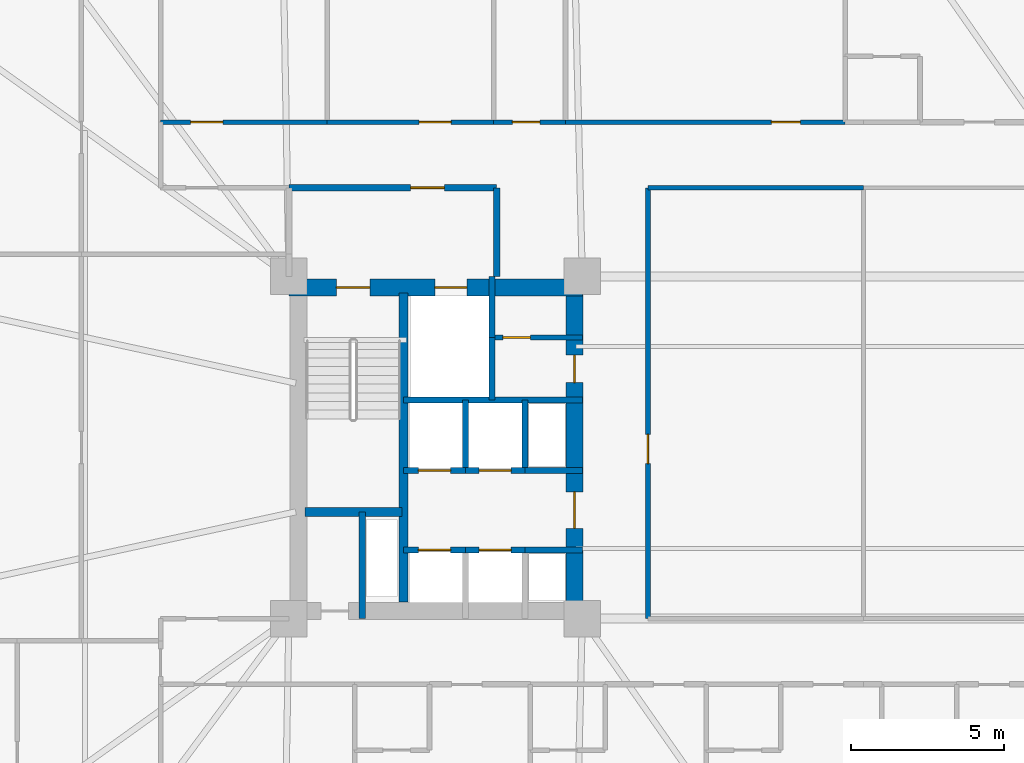
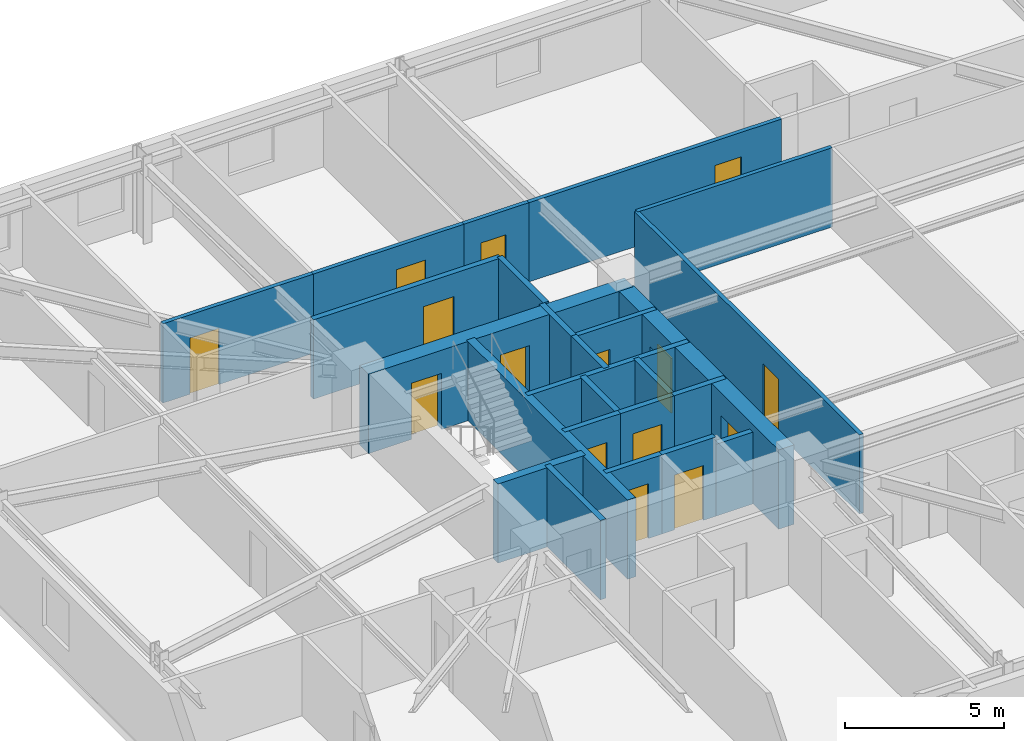
# One storey, part 15 of 20: 25 walls, 15 doors, 15 openings.
"""IFC4 building model written with IfcOpenShell, lengths in metres."""

from ifc_helpers import new_model, si_unit, direction, frame, frame_2d, origin, place, context, subcontext, project, spatial, rectangle, extrude, material, layer, layer_set, type_object, element, fill, save


model = new_model("IFC4")

# Units and contexts
model_context = context("Model", 3, precision=1e-05, world=origin(), true_north=direction((0.0, 1.0)))
body_context = subcontext(model_context, "Body", "Model", "MODEL_VIEW")
ifc_project = project(units=[si_unit("LENGTHUNIT", "METRE"), si_unit("AREAUNIT", "SQUARE_METRE"), si_unit("VOLUMEUNIT", "CUBIC_METRE"), si_unit("PLANEANGLEUNIT", "RADIAN"), si_unit("MASSUNIT", "GRAM", prefix="KILO")], contexts=[model_context])

# Site, building, storey
site_placement = place(None, origin())
site = spatial("IfcSite", under=ifc_project, at=site_placement, CompositionType="ELEMENT")
building_placement = place(site_placement, origin())
building = spatial("IfcBuilding", under=site, at=building_placement, Name="Qobustan Lattice House", CompositionType="ELEMENT")
storey_placement = place(building_placement, frame((0.0, 0.0, 63.85009765625)))
storey = spatial("IfcBuildingStorey", under=building, at=storey_placement, Name="L17", CompositionType="ELEMENT", Elevation=63.85009765625)

# Wall, openings, doors
ifc_material_1 = material(Name="Concrete C60/75", Category="concrete")
ifc_layer_1 = layer(ifc_material_1, 0.56005859375)
ifc_layer_set_1 = layer_set([ifc_layer_1], Name="Concrete C60/75")
wall_type_1 = type_object("IfcWallType", Name="WAL-CORE-600", PredefinedType="SHEAR", material=ifc_layer_set_1)
wall_1_placement = place(storey_placement, frame((-18.800048828125, 5.239990234375, 0.0), z_axis=(0.0, 0.0, 1.0), x_axis=(1.0, 0.0, 0.0)))
wall_1 = element("IfcWall", 1, at=wall_1_placement, inside=storey, type_object=wall_type_1, Name="L17 split-core shear wall CW-N", PredefinedType="SHEAR", context=body_context, shape_type="SweptSolid", body=[
    extrude(rectangle(XDim=9.60009765625, YDim=0.56005859375, at=frame_2d((4.800048828125, 0.0))), origin(), (0.0, 0.0, 1.0), 3.034912109375),
])
opening_1_placement = place(wall_1_placement, frame((1.550048828125, 0.0, 0.0)))
opening_1 = element("IfcOpeningElement", 2, at=opening_1_placement, cuts=wall_1, Name="Opening SD-01", PredefinedType="OPENING", context=body_context, shape_type="SweptSolid", body=[
    extrude(rectangle(XDim=1.10009765625, YDim=2.14990234375, at=frame_2d((0.550048828125, 1.074951171875))), frame((0.0, 0.2900390625, 0.0), z_axis=(0.0, -1.0, 0.0), x_axis=(1.0, 0.0, 0.0)), (0.0, 0.0, 1.0), 0.580078125),
])
opening_2_placement = place(wall_1_placement, frame((4.77490234375, 0.0, 0.0)))
opening_2 = element("IfcOpeningElement", 3, at=opening_2_placement, cuts=wall_1, Name="Opening LD-01", PredefinedType="OPENING", context=body_context, shape_type="SweptSolid", body=[
    extrude(rectangle(XDim=1.050048828125, YDim=2.10009765625, at=frame_2d((0.52490234375, 1.050048828125))), frame((0.0, 0.2900390625, 0.0), z_axis=(0.0, -1.0, 0.0), x_axis=(1.0, 0.0, 0.0)), (0.0, 0.0, 1.0), 0.580078125),
])
ifc_material_2 = material(Name="Persian walnut timber and steel frame door", Category="steel")
door_type_1 = type_object("IfcDoorType", Name="DOR-LIFT-LD-1050x2100", OperationType="NOTDEFINED", PredefinedType="DOOR", material=ifc_material_2)
door_1_placement = place(opening_2_placement, origin())
door_1 = element("IfcDoor", 4, at=door_1_placement, inside=storey, type_object=door_type_1, Name="L17 firefighting lift FF-W landing door", OperationType="DOUBLE_DOOR_SLIDING", OverallHeight=2.10009765625, OverallWidth=1.050048828125, PredefinedType="DOOR", context=body_context, shape_type="SweptSolid", body=[
    extrude(rectangle(XDim=1.050048828125, YDim=2.10009765625, at=frame_2d((0.52490234375, 1.050048828125))), frame((0.0, 0.02490234375, 0.0), z_axis=(0.0, -1.0, 0.0), x_axis=(1.0, 0.0, 0.0)), (0.0, 0.0, 1.0), 0.050048828125),
])
fill(opening_2, door_1)
ifc_material_3 = material(Name="Persian walnut timber and steel frame door", Category="steel")
door_type_2 = type_object("IfcDoorType", Name="DOR-STAIR-FD-1100x2150", OperationType="NOTDEFINED", PredefinedType="DOOR", material=ifc_material_3)
door_2_placement = place(opening_1_placement, origin())
door_2 = element("IfcDoor", 5, at=door_2_placement, inside=storey, type_object=door_type_2, Name="L17 exit stair ST-W1 fire door", OperationType="SINGLE_SWING_RIGHT", OverallHeight=2.14990234375, OverallWidth=1.10009765625, PredefinedType="DOOR", context=body_context, shape_type="SweptSolid", body=[
    extrude(rectangle(XDim=1.10009765625, YDim=2.14990234375, at=frame_2d((0.550048828125, 1.074951171875))), frame((0.0, 0.02490234375, 0.0), z_axis=(0.0, -1.0, 0.0), x_axis=(1.0, 0.0, 0.0)), (0.0, 0.0, 1.0), 0.050048828125),
])
fill(opening_1, door_2)

wall_2_placement = place(storey_placement, frame((-9.449951171875, -5.050048828125, 0.0), z_axis=(0.0, 0.0, 1.0), x_axis=(0.0, 1.0, 0.0)))
wall_2 = element("IfcWall", 6, at=wall_2_placement, inside=storey, type_object=wall_type_1, Name="L17 split-core shear wall CW-E", PredefinedType="SHEAR", context=body_context, shape_type="SweptSolid", body=[
    extrude(rectangle(XDim=10.10009765625, YDim=0.56005859375, at=frame_2d((5.050048828125, 0.0))), origin(), (0.0, 0.0, 1.0), 3.034912109375),
])
opening_3_placement = place(wall_2_placement, frame((7.175048828125, 0.0, 0.0)))
opening_3 = element("IfcOpeningElement", 7, at=opening_3_placement, cuts=wall_2, Name="Opening RD-01", PredefinedType="OPENING", context=body_context, shape_type="SweptSolid", body=[
    extrude(rectangle(XDim=0.89990234375, YDim=2.10009765625, at=frame_2d((0.449951171875, 1.050048828125))), frame((0.0, 0.2900390625, 0.0), z_axis=(0.0, -1.0, 0.0), x_axis=(1.0, 0.0, 0.0)), (0.0, 0.0, 1.0), 0.580078125),
])
opening_4_placement = place(wall_2_placement, frame((2.39990234375, 0.0, 0.0)))
opening_4 = element("IfcOpeningElement", 8, at=opening_4_placement, cuts=wall_2, Name="Opening FD-01", PredefinedType="OPENING", context=body_context, shape_type="SweptSolid", body=[
    extrude(rectangle(XDim=1.199951171875, YDim=2.14990234375, at=frame_2d((0.60009765625, 1.074951171875))), frame((0.0, 0.2900390625, 0.0), z_axis=(0.0, -1.0, 0.0), x_axis=(1.0, 0.0, 0.0)), (0.0, 0.0, 1.0), 0.580078125),
])
ifc_material_4 = material(Name="Persian walnut timber and steel frame door", Category="steel")
door_type_3 = type_object("IfcDoorType", Name="DOR-LOBBY-FD-1200x2150", OperationType="NOTDEFINED", PredefinedType="DOOR", material=ifc_material_4)
door_3_placement = place(opening_4_placement, origin())
door_3 = element("IfcDoor", 9, at=door_3_placement, inside=storey, type_object=door_type_3, Name="L17 West passenger lift lobby fire door", OperationType="SINGLE_SWING_LEFT", OverallHeight=2.14990234375, OverallWidth=1.199951171875, PredefinedType="DOOR", context=body_context, shape_type="SweptSolid", body=[
    extrude(rectangle(XDim=1.199951171875, YDim=2.14990234375, at=frame_2d((0.60009765625, 1.074951171875))), frame((0.0, 0.02490234375, 0.0), z_axis=(0.0, -1.0, 0.0), x_axis=(1.0, 0.0, 0.0)), (0.0, 0.0, 1.0), 0.050048828125),
])
fill(opening_4, door_3)
ifc_material_5 = material(Name="Persian walnut timber and steel frame door", Category="steel")
door_type_4 = type_object("IfcDoorType", Name="DOR-RISER-FD-900x2100", OperationType="NOTDEFINED", PredefinedType="DOOR", material=ifc_material_5)
door_4_placement = place(opening_3_placement, origin())
door_4 = element("IfcDoor", 10, at=door_4_placement, inside=storey, type_object=door_type_4, Name="L17 Core utility lobby fire door", OperationType="SINGLE_SWING_RIGHT", OverallHeight=2.10009765625, OverallWidth=0.89990234375, PredefinedType="DOOR", context=body_context, shape_type="SweptSolid", body=[
    extrude(rectangle(XDim=0.89990234375, YDim=2.10009765625, at=frame_2d((0.449951171875, 1.050048828125))), frame((0.0, 0.02490234375, 0.0), z_axis=(0.0, -1.0, 0.0), x_axis=(1.0, 0.0, 0.0)), (0.0, 0.0, 1.0), 0.050048828125),
])
fill(opening_3, door_4)

# Walls
ifc_material_6 = material(Name="Concrete C50/60", Category="concrete")
ifc_layer_2 = layer(ifc_material_6, 0.280029296875)
ifc_layer_set_2 = layer_set([ifc_layer_2], Name="Concrete C50/60")
wall_type_2 = type_object("IfcWallType", Name="WAL-CORE-SPINE-280", PredefinedType="SHEAR", material=ifc_layer_set_2)
wall_3_placement = place(storey_placement, frame((-15.050048828125, -5.050048828125, 0.0), z_axis=(0.0, 0.0, 1.0), x_axis=(0.0, 1.0, 0.0)))
element("IfcWall", 11, at=wall_3_placement, inside=storey, type_object=wall_type_2, Name="L17 split-core shear wall CW-M", PredefinedType="SHEAR", context=body_context, shape_type="SweptSolid", body=[
    extrude(rectangle(XDim=10.10009765625, YDim=0.300048828125, at=frame_2d((5.050048828125, 0.0))), origin(), (0.0, 0.0, 1.0), 3.034912109375),
])
wall_4_placement = place(storey_placement, frame((-18.280029296875, -2.110107421875, 0.0), z_axis=(0.0, 0.0, 1.0), x_axis=(1.0, 0.0, 0.0)))
element("IfcWall", 12, at=wall_4_placement, inside=storey, type_object=wall_type_2, Name="L17 split-core shear wall CW-ST", PredefinedType="SHEAR", context=body_context, shape_type="SweptSolid", body=[
    extrude(rectangle(XDim=3.179931640625, YDim=0.300048828125, at=frame_2d((1.58984375, 0.0))), origin(), (0.0, 0.0, 1.0), 3.034912109375),
])

# Wall, opening, door
ifc_material_7 = material(Name="Gypsum fireboard acoustic partition", Category="gypsum")
ifc_layer_3 = layer(ifc_material_7, 0.179931640625)
ifc_layer_set_3 = layer_set([ifc_layer_3], Name="Gypsum fireboard acoustic partition")
wall_type_3 = type_object("IfcWallType", Name="WAL-FIRE-180", PredefinedType="PARTITIONING", material=ifc_layer_set_3)
wall_5_placement = place(storey_placement, frame((-9.199951171875, 3.60009765625, 0.0), z_axis=(0.0, 0.0, 1.0), x_axis=(-1.0, 0.0, 0.0)))
wall_5 = element("IfcWall", 13, at=wall_5_placement, inside=storey, type_object=wall_type_3, Name="L17 interior partition 8", PredefinedType="PARTITIONING", context=body_context, shape_type="SweptSolid", body=[
    extrude(rectangle(XDim=2.949951171875, YDim=0.179931640625, at=frame_2d((1.47509765625, 0.0))), origin(), (0.0, 0.0, 1.0), 3.034912109375),
])
opening_5_placement = place(wall_5_placement, frame((1.699951171875, 0.0, 0.0)))
opening_5 = element("IfcOpeningElement", 14, at=opening_5_placement, cuts=wall_5, Name="Opening RD-01", PredefinedType="OPENING", context=body_context, shape_type="SweptSolid", body=[
    extrude(rectangle(XDim=0.89990234375, YDim=2.10009765625, at=frame_2d((0.449951171875, 1.050048828125))), frame((0.0, 0.099853515625, 0.0), z_axis=(0.0, -1.0, 0.0), x_axis=(1.0, 0.0, 0.0)), (0.0, 0.0, 1.0), 0.199951171875),
])
door_5_placement = place(opening_5_placement, origin())
door_5 = element("IfcDoor", 15, at=door_5_placement, inside=storey, type_object=door_type_4, Name="L17 Core utility lobby to Cleaner store door", OperationType="SINGLE_SWING_LEFT", OverallHeight=2.10009765625, OverallWidth=0.89990234375, PredefinedType="DOOR", context=body_context, shape_type="SweptSolid", body=[
    extrude(rectangle(XDim=0.89990234375, YDim=2.10009765625, at=frame_2d((0.449951171875, 1.050048828125))), frame((0.0, 0.02490234375, 0.0), z_axis=(0.0, -1.0, 0.0), x_axis=(1.0, 0.0, 0.0)), (0.0, 0.0, 1.0), 0.050048828125),
])
fill(opening_5, door_5)

ifc_material_8 = material(Name="Acoustic twin-stud gypsum partition", Category="gypsum")
ifc_layer_4 = layer(ifc_material_8, 0.14990234375)
ifc_layer_set_4 = layer_set([ifc_layer_4], Name="Acoustic twin-stud gypsum partition")
wall_type_4 = type_object("IfcWallType", Name="WAL-PART-150", PredefinedType="PARTITIONING", material=ifc_layer_set_4)
wall_6_placement = place(storey_placement, frame((-23.0, 10.64990234375, 0.0), z_axis=(0.0, 0.0, 1.0), x_axis=(1.0, 0.0, 0.0)))
wall_6 = element("IfcWall", 16, at=wall_6_placement, inside=storey, type_object=wall_type_4, Name="L17 interior partition 40", PredefinedType="PARTITIONING", context=body_context, shape_type="SweptSolid", body=[
    extrude(rectangle(XDim=5.449951171875, YDim=0.14990234375, at=frame_2d((2.72509765625, 0.0))), origin(), (0.0, 0.0, 1.0), 3.034912109375),
])
opening_6_placement = place(wall_6_placement, frame((0.985107421875, 0.0, 0.0)))
opening_6 = element("IfcOpeningElement", 17, at=opening_6_placement, cuts=wall_6, Name="Opening ID-02", PredefinedType="OPENING", context=body_context, shape_type="SweptSolid", body=[
    extrude(rectangle(XDim=1.050048828125, YDim=2.14990234375, at=frame_2d((0.52490234375, 1.074951171875))), frame((0.0, 0.0849609375, 0.0), z_axis=(0.0, -1.0, 0.0), x_axis=(1.0, 0.0, 0.0)), (0.0, 0.0, 1.0), 0.169921875),
])
ifc_material_9 = material(Name="Persian walnut timber and steel frame door", Category="steel")
door_type_5 = type_object("IfcDoorType", Name="DOR-STUDY-1050x2150", OperationType="NOTDEFINED", PredefinedType="DOOR", material=ifc_material_9)
door_6_placement = place(opening_6_placement, origin())
door_6 = element("IfcDoor", 18, at=door_6_placement, inside=storey, type_object=door_type_5, Name="L17 North-west floor corridor to Focus study room N1A door", OperationType="SINGLE_SWING_RIGHT", OverallHeight=2.14990234375, OverallWidth=1.050048828125, PredefinedType="DOOR", context=body_context, shape_type="SweptSolid", body=[
    extrude(rectangle(XDim=1.050048828125, YDim=2.14990234375, at=frame_2d((0.52490234375, 1.074951171875))), frame((0.0, 0.02490234375, 0.0), z_axis=(0.0, -1.0, 0.0), x_axis=(1.0, 0.0, 0.0)), (0.0, 0.0, 1.0), 0.050048828125),
])
fill(opening_6, door_6)

wall_7_placement = place(storey_placement, frame((-17.550048828125, 10.64990234375, 0.0), z_axis=(0.0, 0.0, 1.0), x_axis=(1.0, 0.0, 0.0)))
wall_7 = element("IfcWall", 19, at=wall_7_placement, inside=storey, type_object=wall_type_4, Name="L17 interior partition 41", PredefinedType="PARTITIONING", context=body_context, shape_type="SweptSolid", body=[
    extrude(rectangle(XDim=5.449951171875, YDim=0.14990234375, at=frame_2d((2.72509765625, 0.0))), origin(), (0.0, 0.0, 1.0), 3.034912109375),
])
opening_7_placement = place(wall_7_placement, frame((3.010009765625, 0.0, 0.0)))
opening_7 = element("IfcOpeningElement", 20, at=opening_7_placement, cuts=wall_7, Name="Opening ID-02", PredefinedType="OPENING", context=body_context, shape_type="SweptSolid", body=[
    extrude(rectangle(XDim=1.050048828125, YDim=2.14990234375, at=frame_2d((0.52490234375, 1.074951171875))), frame((0.0, 0.0849609375, 0.0), z_axis=(0.0, -1.0, 0.0), x_axis=(1.0, 0.0, 0.0)), (0.0, 0.0, 1.0), 0.169921875),
])
door_7_placement = place(opening_7_placement, origin())
door_7 = element("IfcDoor", 21, at=door_7_placement, inside=storey, type_object=door_type_5, Name="L17 North-west floor corridor to Focus study room N1B door", OperationType="SINGLE_SWING_LEFT", OverallHeight=2.14990234375, OverallWidth=1.050048828125, PredefinedType="DOOR", context=body_context, shape_type="SweptSolid", body=[
    extrude(rectangle(XDim=1.050048828125, YDim=2.14990234375, at=frame_2d((0.52490234375, 1.074951171875))), frame((0.0, 0.02490234375, 0.0), z_axis=(0.0, -1.0, 0.0), x_axis=(1.0, 0.0, 0.0)), (0.0, 0.0, 1.0), 0.050048828125),
])
fill(opening_7, door_7)

wall_8_placement = place(storey_placement, frame((-9.75, 10.64990234375, 0.0), z_axis=(0.0, 0.0, 1.0), x_axis=(1.0, 0.0, 0.0)))
wall_8 = element("IfcWall", 22, at=wall_8_placement, inside=storey, type_object=wall_type_4, Name="L17 interior partition 43", PredefinedType="PARTITIONING", context=body_context, shape_type="SweptSolid", body=[
    extrude(rectangle(XDim=9.14990234375, YDim=0.14990234375, at=frame_2d((4.574951171875, 0.0))), origin(), (0.0, 0.0, 1.0), 3.034912109375),
])
opening_8_placement = place(wall_8_placement, frame((6.739990234375, 0.0, 0.0)))
opening_8 = element("IfcOpeningElement", 23, at=opening_8_placement, cuts=wall_8, Name="Opening ID-01", PredefinedType="OPENING", context=body_context, shape_type="SweptSolid", body=[
    extrude(rectangle(XDim=0.949951171875, YDim=2.10009765625, at=frame_2d((0.47509765625, 1.050048828125))), frame((0.0, 0.0849609375, 0.0), z_axis=(0.0, -1.0, 0.0), x_axis=(1.0, 0.0, 0.0)), (0.0, 0.0, 1.0), 0.169921875),
])
ifc_material_10 = material(Name="Persian walnut timber and steel frame door", Category="steel")
door_type_6 = type_object("IfcDoorType", Name="DOR-ROOM-950x2100", OperationType="NOTDEFINED", PredefinedType="DOOR", material=ifc_material_10)
door_8_placement = place(opening_8_placement, origin())
door_8 = element("IfcDoor", 24, at=door_8_placement, inside=storey, type_object=door_type_6, Name="L17 North-west floor corridor to Laundry utility room door", OperationType="SINGLE_SWING_LEFT", OverallHeight=2.10009765625, OverallWidth=0.949951171875, PredefinedType="DOOR", context=body_context, shape_type="SweptSolid", body=[
    extrude(rectangle(XDim=0.949951171875, YDim=2.10009765625, at=frame_2d((0.47509765625, 1.050048828125))), frame((0.0, 0.02490234375, 0.0), z_axis=(0.0, -1.0, 0.0), x_axis=(1.0, 0.0, 0.0)), (0.0, 0.0, 1.0), 0.050048828125),
])
fill(opening_8, door_8)

# Wall
wall_9_placement = place(storey_placement, frame((0.0, 8.5, 0.0), z_axis=(0.0, 0.0, 1.0), x_axis=(-1.0, 0.0, 0.0)))
element("IfcWall", 25, at=wall_9_placement, inside=storey, type_object=wall_type_4, Name="L17 interior partition 45", PredefinedType="PARTITIONING", context=body_context, shape_type="SweptSolid", body=[
    extrude(rectangle(XDim=7.050048828125, YDim=0.14990234375, at=frame_2d((3.52490234375, 0.0))), origin(), (0.0, 0.0, 1.0), 3.034912109375),
])

# Wall, opening, door
wall_10_placement = place(storey_placement, frame((-7.050048828125, 8.5, 0.0), z_axis=(0.0, 0.0, 1.0), x_axis=(0.0, -1.0, 0.0)))
wall_10 = element("IfcWall", 26, at=wall_10_placement, inside=storey, type_object=wall_type_4, Name="L17 interior partition 75", PredefinedType="PARTITIONING", context=body_context, shape_type="SweptSolid", body=[
    extrude(rectangle(XDim=14.10009765625, YDim=0.14990234375, at=frame_2d((7.050048828125, 0.0))), origin(), (0.0, 0.0, 1.0), 3.034912109375),
])
opening_9_placement = place(wall_10_placement, frame((8.07373046875, 0.0, 0.0)))
opening_9 = element("IfcOpeningElement", 27, at=opening_9_placement, cuts=wall_10, Name="Opening ID-01", PredefinedType="OPENING", context=body_context, shape_type="SweptSolid", body=[
    extrude(rectangle(XDim=0.949951171875, YDim=2.10009765625, at=frame_2d((0.47509765625, 1.050048828125))), frame((0.0, 0.0849609375, 0.0), z_axis=(0.0, -1.0, 0.0), x_axis=(1.0, 0.0, 0.0)), (0.0, 0.0, 1.0), 0.169921875),
])
door_9_placement = place(opening_9_placement, origin())
door_9 = element("IfcDoor", 28, at=door_9_placement, inside=storey, type_object=door_type_6, Name="L17 West floor link corridor to Design studio workspace door", OperationType="SINGLE_SWING_LEFT", OverallHeight=2.10009765625, OverallWidth=0.949951171875, PredefinedType="DOOR", context=body_context, shape_type="SweptSolid", body=[
    extrude(rectangle(XDim=0.949951171875, YDim=2.10009765625, at=frame_2d((0.47509765625, 1.050048828125))), frame((0.0, 0.02490234375, 0.0), z_axis=(0.0, -1.0, 0.0), x_axis=(1.0, 0.0, 0.0)), (0.0, 0.0, 1.0), 0.050048828125),
])
fill(opening_9, door_9)

ifc_material_11 = material(Name="Two-hour gypsum fireboard acoustic partition", Category="gypsum")
ifc_layer_5 = layer(ifc_material_11, 0.199951171875)
ifc_layer_set_5 = layer_set([ifc_layer_5], Name="Two-hour gypsum fireboard acoustic partition")
wall_type_5 = type_object("IfcWallType", Name="WAL-PROT-200", PredefinedType="PARTITIONING", material=ifc_layer_set_5)
wall_11_placement = place(storey_placement, frame((-12.0, 8.5, 0.0), z_axis=(0.0, 0.0, 1.0), x_axis=(-1.0, 0.0, 0.0)))
wall_11 = element("IfcWall", 29, at=wall_11_placement, inside=storey, type_object=wall_type_5, Name="L17 interior partition 4", PredefinedType="PARTITIONING", context=body_context, shape_type="SweptSolid", body=[
    extrude(rectangle(XDim=6.800048828125, YDim=0.199951171875, at=frame_2d((3.39990234375, 0.0))), origin(), (0.0, 0.0, 1.0), 3.034912109375),
])
opening_10_placement = place(wall_11_placement, frame((1.715087890625, 0.0, 0.0)))
opening_10 = element("IfcOpeningElement", 30, at=opening_10_placement, cuts=wall_11, Name="Opening SD-01", PredefinedType="OPENING", context=body_context, shape_type="SweptSolid", body=[
    extrude(rectangle(XDim=1.10009765625, YDim=2.14990234375, at=frame_2d((0.550048828125, 1.074951171875))), frame((0.0, 0.10986328125, 0.0), z_axis=(0.0, -1.0, 0.0), x_axis=(1.0, 0.0, 0.0)), (0.0, 0.0, 1.0), 0.219970703125),
])
door_10_placement = place(opening_10_placement, origin())
door_10 = element("IfcDoor", 31, at=door_10_placement, inside=storey, type_object=door_type_2, Name="L17 West firefighting lift lobby to North-west floor corridor door", OperationType="SINGLE_SWING_RIGHT", OverallHeight=2.14990234375, OverallWidth=1.10009765625, PredefinedType="DOOR", context=body_context, shape_type="SweptSolid", body=[
    extrude(rectangle(XDim=1.10009765625, YDim=2.14990234375, at=frame_2d((0.550048828125, 1.074951171875))), frame((0.0, 0.02490234375, 0.0), z_axis=(0.0, -1.0, 0.0), x_axis=(1.0, 0.0, 0.0)), (0.0, 0.0, 1.0), 0.050048828125),
])
fill(opening_10, door_10)

# Walls
wall_12_placement = place(storey_placement, frame((-12.0, 5.60009765625, 0.0), z_axis=(0.0, 0.0, 1.0), x_axis=(0.0, 1.0, 0.0)))
element("IfcWall", 32, at=wall_12_placement, inside=storey, type_object=wall_type_5, Name="L17 interior partition 5", PredefinedType="PARTITIONING", context=body_context, shape_type="SweptSolid", body=[
    extrude(rectangle(XDim=2.89990234375, YDim=0.199951171875, at=frame_2d((1.449951171875, 0.0))), origin(), (0.0, 0.0, 1.0), 3.034912109375),
])
ifc_material_12 = material(Name="Concrete C40/50", Category="concrete")
ifc_layer_6 = layer(ifc_material_12, 0.199951171875)
ifc_layer_set_6 = layer_set([ifc_layer_6], Name="Concrete C40/50")
wall_type_6 = type_object("IfcWallType", Name="WAL-SHAFT-200", PredefinedType="PARTITIONING", material=ifc_layer_set_6)
wall_13_placement = place(storey_placement, frame((-16.39990234375, -5.60009765625, 0.0), z_axis=(0.0, 0.0, 1.0), x_axis=(0.0, 1.0, 0.0)))
element("IfcWall", 33, at=wall_13_placement, inside=storey, type_object=wall_type_6, Name="L17 interior partition 1", PredefinedType="PARTITIONING", context=body_context, shape_type="SweptSolid", body=[
    extrude(rectangle(XDim=3.489990234375, YDim=0.199951171875, at=frame_2d((1.7451171875, 0.0))), origin(), (0.0, 0.0, 1.0), 3.034912109375),
])
wall_14_placement = place(storey_placement, frame((-12.14990234375, 1.550048828125, 0.0), z_axis=(0.0, 0.0, 1.0), x_axis=(0.0, 1.0, 0.0)))
element("IfcWall", 34, at=wall_14_placement, inside=storey, type_object=wall_type_6, Name="L17 interior partition 2", PredefinedType="PARTITIONING", context=body_context, shape_type="SweptSolid", body=[
    extrude(rectangle(XDim=2.050048828125, YDim=0.199951171875, at=frame_2d((1.02490234375, 0.0))), origin(), (0.0, 0.0, 1.0), 3.034912109375),
])
wall_15_placement = place(storey_placement, frame((-12.14990234375, 3.60009765625, 0.0), z_axis=(0.0, 0.0, 1.0), x_axis=(0.0, 1.0, 0.0)))
element("IfcWall", 35, at=wall_15_placement, inside=storey, type_object=wall_type_6, Name="L17 interior partition 3", PredefinedType="PARTITIONING", context=body_context, shape_type="SweptSolid", body=[
    extrude(rectangle(XDim=2.0, YDim=0.199951171875, at=frame_2d((1.0, 0.0))), origin(), (0.0, 0.0, 1.0), 3.034912109375),
])

# Wall, opening, door
wall_16_placement = place(storey_placement, frame((-15.050048828125, -3.35009765625, 0.0), z_axis=(0.0, 0.0, 1.0), x_axis=(1.0, 0.0, 0.0)))
wall_16 = element("IfcWall", 36, at=wall_16_placement, inside=storey, type_object=wall_type_6, Name="L17 interior partition 10", PredefinedType="PARTITIONING", context=body_context, shape_type="SweptSolid", body=[
    extrude(rectangle(XDim=2.030029296875, YDim=0.199951171875, at=frame_2d((1.01513671875, 0.0))), origin(), (0.0, 0.0, 1.0), 3.034912109375),
])
opening_11_placement = place(wall_16_placement, frame((0.489990234375, 0.0, 0.0)))
opening_11 = element("IfcOpeningElement", 37, at=opening_11_placement, cuts=wall_16, Name="Opening LD-01", PredefinedType="OPENING", context=body_context, shape_type="SweptSolid", body=[
    extrude(rectangle(XDim=1.050048828125, YDim=2.10009765625, at=frame_2d((0.52490234375, 1.050048828125))), frame((0.0, 0.10986328125, 0.0), z_axis=(0.0, -1.0, 0.0), x_axis=(1.0, 0.0, 0.0)), (0.0, 0.0, 1.0), 0.219970703125),
])
door_11_placement = place(opening_11_placement, origin())
door_11 = element("IfcDoor", 38, at=door_11_placement, inside=storey, type_object=door_type_1, Name="L17 lift landing door", OperationType="DOUBLE_DOOR_SLIDING", OverallHeight=2.10009765625, OverallWidth=1.050048828125, PredefinedType="DOOR", context=body_context, shape_type="SweptSolid", body=[
    extrude(rectangle(XDim=1.050048828125, YDim=2.10009765625, at=frame_2d((0.52490234375, 1.050048828125))), frame((0.0, 0.02490234375, 0.0), z_axis=(0.0, -1.0, 0.0), x_axis=(1.0, 0.0, 0.0)), (0.0, 0.0, 1.0), 0.050048828125),
])
fill(opening_11, door_11)

wall_17_placement = place(storey_placement, frame((-13.02001953125, -3.35009765625, 0.0), z_axis=(0.0, 0.0, 1.0), x_axis=(1.0, 0.0, 0.0)))
wall_17 = element("IfcWall", 39, at=wall_17_placement, inside=storey, type_object=wall_type_6, Name="L17 interior partition 11", PredefinedType="PARTITIONING", context=body_context, shape_type="SweptSolid", body=[
    extrude(rectangle(XDim=1.93994140625, YDim=0.199951171875, at=frame_2d((0.969970703125, 0.0))), origin(), (0.0, 0.0, 1.0), 3.034912109375),
])
opening_12_placement = place(wall_17_placement, frame((0.445068359375, 0.0, 0.0)))
opening_12 = element("IfcOpeningElement", 40, at=opening_12_placement, cuts=wall_17, Name="Opening LD-01", PredefinedType="OPENING", context=body_context, shape_type="SweptSolid", body=[
    extrude(rectangle(XDim=1.050048828125, YDim=2.10009765625, at=frame_2d((0.52490234375, 1.050048828125))), frame((0.0, 0.10986328125, 0.0), z_axis=(0.0, -1.0, 0.0), x_axis=(1.0, 0.0, 0.0)), (0.0, 0.0, 1.0), 0.219970703125),
])
door_12_placement = place(opening_12_placement, origin())
door_12 = element("IfcDoor", 41, at=door_12_placement, inside=storey, type_object=door_type_1, Name="L17 lift landing door", OperationType="DOUBLE_DOOR_SLIDING", OverallHeight=2.10009765625, OverallWidth=1.050048828125, PredefinedType="DOOR", context=body_context, shape_type="SweptSolid", body=[
    extrude(rectangle(XDim=1.050048828125, YDim=2.10009765625, at=frame_2d((0.52490234375, 1.050048828125))), frame((0.0, 0.02490234375, 0.0), z_axis=(0.0, -1.0, 0.0), x_axis=(1.0, 0.0, 0.0)), (0.0, 0.0, 1.0), 0.050048828125),
])
fill(opening_12, door_12)

# Wall
wall_18_placement = place(storey_placement, frame((-11.080078125, -3.35009765625, 0.0), z_axis=(0.0, 0.0, 1.0), x_axis=(1.0, 0.0, 0.0)))
element("IfcWall", 42, at=wall_18_placement, inside=storey, type_object=wall_type_6, Name="L17 interior partition 12", PredefinedType="PARTITIONING", context=body_context, shape_type="SweptSolid", body=[
    extrude(rectangle(XDim=1.880126953125, YDim=0.199951171875, at=frame_2d((0.93994140625, 0.0))), origin(), (0.0, 0.0, 1.0), 2.75),
])

# Wall, opening, door
wall_19_placement = place(storey_placement, frame((-13.02001953125, -0.75, 0.0), z_axis=(0.0, 0.0, 1.0), x_axis=(-1.0, 0.0, 0.0)))
wall_19 = element("IfcWall", 43, at=wall_19_placement, inside=storey, type_object=wall_type_6, Name="L17 interior partition 13", PredefinedType="PARTITIONING", context=body_context, shape_type="SweptSolid", body=[
    extrude(rectangle(XDim=2.030029296875, YDim=0.199951171875, at=frame_2d((1.01513671875, 0.0))), origin(), (0.0, 0.0, 1.0), 3.034912109375),
])
opening_13_placement = place(wall_19_placement, frame((0.489990234375, 0.0, 0.0)))
opening_13 = element("IfcOpeningElement", 44, at=opening_13_placement, cuts=wall_19, Name="Opening LD-01", PredefinedType="OPENING", context=body_context, shape_type="SweptSolid", body=[
    extrude(rectangle(XDim=1.050048828125, YDim=2.10009765625, at=frame_2d((0.52490234375, 1.050048828125))), frame((0.0, 0.10986328125, 0.0), z_axis=(0.0, -1.0, 0.0), x_axis=(1.0, 0.0, 0.0)), (0.0, 0.0, 1.0), 0.219970703125),
])
door_13_placement = place(opening_13_placement, origin())
door_13 = element("IfcDoor", 45, at=door_13_placement, inside=storey, type_object=door_type_1, Name="L17 lift landing door", OperationType="DOUBLE_DOOR_SLIDING", OverallHeight=2.10009765625, OverallWidth=1.050048828125, PredefinedType="DOOR", context=body_context, shape_type="SweptSolid", body=[
    extrude(rectangle(XDim=1.050048828125, YDim=2.10009765625, at=frame_2d((0.52490234375, 1.050048828125))), frame((0.0, 0.02490234375, 0.0), z_axis=(0.0, -1.0, 0.0), x_axis=(1.0, 0.0, 0.0)), (0.0, 0.0, 1.0), 0.050048828125),
])
fill(opening_13, door_13)

wall_20_placement = place(storey_placement, frame((-11.080078125, -0.75, 0.0), z_axis=(0.0, 0.0, 1.0), x_axis=(-1.0, 0.0, 0.0)))
wall_20 = element("IfcWall", 46, at=wall_20_placement, inside=storey, type_object=wall_type_6, Name="L17 interior partition 14", PredefinedType="PARTITIONING", context=body_context, shape_type="SweptSolid", body=[
    extrude(rectangle(XDim=1.93994140625, YDim=0.199951171875, at=frame_2d((0.969970703125, 0.0))), origin(), (0.0, 0.0, 1.0), 3.034912109375),
])
opening_14_placement = place(wall_20_placement, frame((0.445068359375, 0.0, 0.0)))
opening_14 = element("IfcOpeningElement", 47, at=opening_14_placement, cuts=wall_20, Name="Opening LD-01", PredefinedType="OPENING", context=body_context, shape_type="SweptSolid", body=[
    extrude(rectangle(XDim=1.050048828125, YDim=2.10009765625, at=frame_2d((0.52490234375, 1.050048828125))), frame((0.0, 0.10986328125, 0.0), z_axis=(0.0, -1.0, 0.0), x_axis=(1.0, 0.0, 0.0)), (0.0, 0.0, 1.0), 0.219970703125),
])
door_14_placement = place(opening_14_placement, origin())
door_14 = element("IfcDoor", 48, at=door_14_placement, inside=storey, type_object=door_type_1, Name="L17 lift landing door", OperationType="DOUBLE_DOOR_SLIDING", OverallHeight=2.10009765625, OverallWidth=1.050048828125, PredefinedType="DOOR", context=body_context, shape_type="SweptSolid", body=[
    extrude(rectangle(XDim=1.050048828125, YDim=2.10009765625, at=frame_2d((0.52490234375, 1.050048828125))), frame((0.0, 0.02490234375, 0.0), z_axis=(0.0, -1.0, 0.0), x_axis=(1.0, 0.0, 0.0)), (0.0, 0.0, 1.0), 0.050048828125),
])
fill(opening_14, door_14)

# Walls
wall_21_placement = place(storey_placement, frame((-9.199951171875, -0.75, 0.0), z_axis=(0.0, 0.0, 1.0), x_axis=(-1.0, 0.0, 0.0)))
element("IfcWall", 49, at=wall_21_placement, inside=storey, type_object=wall_type_6, Name="L17 interior partition 15", PredefinedType="PARTITIONING", context=body_context, shape_type="SweptSolid", body=[
    extrude(rectangle(XDim=1.880126953125, YDim=0.199951171875, at=frame_2d((0.93994140625, 0.0))), origin(), (0.0, 0.0, 1.0), 3.034912109375),
])
for number, where, z_axis, x_axis, name in (
    (50, (-13.02001953125, -0.75, 0.0), (0.0, 0.0, 1.0), (0.0, 1.0, 0.0), "L17 interior partition 19"),
    (51, (-11.080078125, -0.75, 0.0), (0.0, 0.0, 1.0), (0.0, 1.0, 0.0), "L17 interior partition 20"),
):
    element("IfcWall", number, at=place(storey_placement, frame(where, z_axis=z_axis, x_axis=x_axis)), inside=storey, type_object=wall_type_6, Name=name, PredefinedType="PARTITIONING", context=body_context, shape_type="SweptSolid", body=[
        extrude(rectangle(XDim=2.300048828125, YDim=0.199951171875, at=frame_2d((1.14990234375, 0.0))), origin(), (0.0, 0.0, 1.0), 3.034912109375),
    ])
wall_22_placement = place(storey_placement, frame((-15.050048828125, 1.550048828125, 0.0), z_axis=(0.0, 0.0, 1.0), x_axis=(1.0, 0.0, 0.0)))
element("IfcWall", 52, at=wall_22_placement, inside=storey, type_object=wall_type_6, Name="L17 interior partition 125", PredefinedType="PARTITIONING", context=body_context, shape_type="SweptSolid", body=[
    extrude(rectangle(XDim=5.85009765625, YDim=0.199951171875, at=frame_2d((2.925048828125, 0.0))), origin(), (0.0, 0.0, 1.0), 3.034912109375),
])

# Wall, opening, door
ifc_material_13 = material(Name="Moisture-resistant acoustic plumbing wall", Category="gypsum")
ifc_layer_7 = layer(ifc_material_13, 0.14990234375)
ifc_layer_set_7 = layer_set([ifc_layer_7], Name="Moisture-resistant acoustic plumbing wall")
wall_type_7 = type_object("IfcWallType", Name="WAL-WET-150", PredefinedType="PLUMBINGWALL", material=ifc_layer_set_7)
wall_23_placement = place(storey_placement, frame((-12.10009765625, 10.64990234375, 0.0), z_axis=(0.0, 0.0, 1.0), x_axis=(1.0, 0.0, 0.0)))
wall_23 = element("IfcWall", 53, at=wall_23_placement, inside=storey, type_object=wall_type_7, Name="L17 interior partition 42", PredefinedType="PLUMBINGWALL", context=body_context, shape_type="SweptSolid", body=[
    extrude(rectangle(XDim=2.35009765625, YDim=0.14990234375, at=frame_2d((1.175048828125, 0.0))), origin(), (0.0, 0.0, 1.0), 3.034912109375),
])
opening_15_placement = place(wall_23_placement, frame((0.6162109375, 0.0, 0.0)))
opening_15 = element("IfcOpeningElement", 54, at=opening_15_placement, cuts=wall_23, Name="Opening WD-01", PredefinedType="OPENING", context=body_context, shape_type="SweptSolid", body=[
    extrude(rectangle(XDim=0.89990234375, YDim=2.10009765625, at=frame_2d((0.449951171875, 1.050048828125))), frame((0.0, 0.0849609375, 0.0), z_axis=(0.0, -1.0, 0.0), x_axis=(1.0, 0.0, 0.0)), (0.0, 0.0, 1.0), 0.169921875),
])
ifc_material_14 = material(Name="Persian walnut timber and steel frame door", Category="steel")
door_type_7 = type_object("IfcDoorType", Name="DOR-WET-900x2100", OperationType="NOTDEFINED", PredefinedType="DOOR", material=ifc_material_14)
door_15_placement = place(opening_15_placement, origin())
door_15 = element("IfcDoor", 55, at=door_15_placement, inside=storey, type_object=door_type_7, Name="L17 North-west floor corridor to Accessible WC door", OperationType="SINGLE_SWING_RIGHT", OverallHeight=2.10009765625, OverallWidth=0.89990234375, PredefinedType="DOOR", context=body_context, shape_type="SweptSolid", body=[
    extrude(rectangle(XDim=0.89990234375, YDim=2.10009765625, at=frame_2d((0.449951171875, 1.050048828125))), frame((0.0, 0.02490234375, 0.0), z_axis=(0.0, -1.0, 0.0), x_axis=(1.0, 0.0, 0.0)), (0.0, 0.0, 1.0), 0.050048828125),
])
fill(opening_15, door_15)

save(model, "model.ifc")
